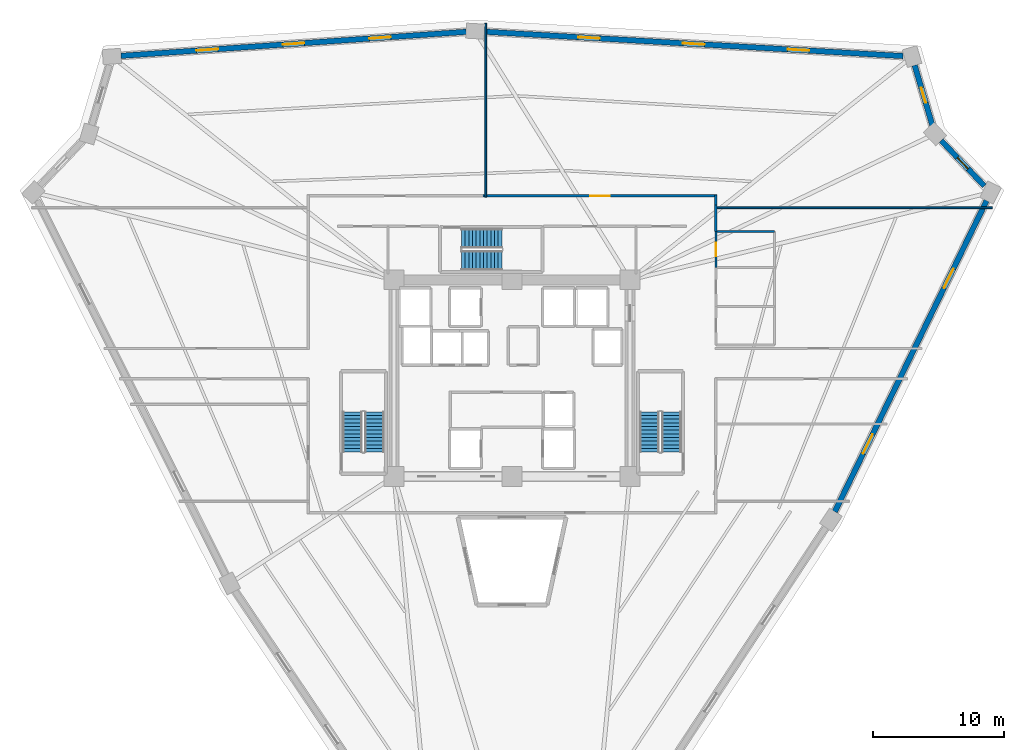
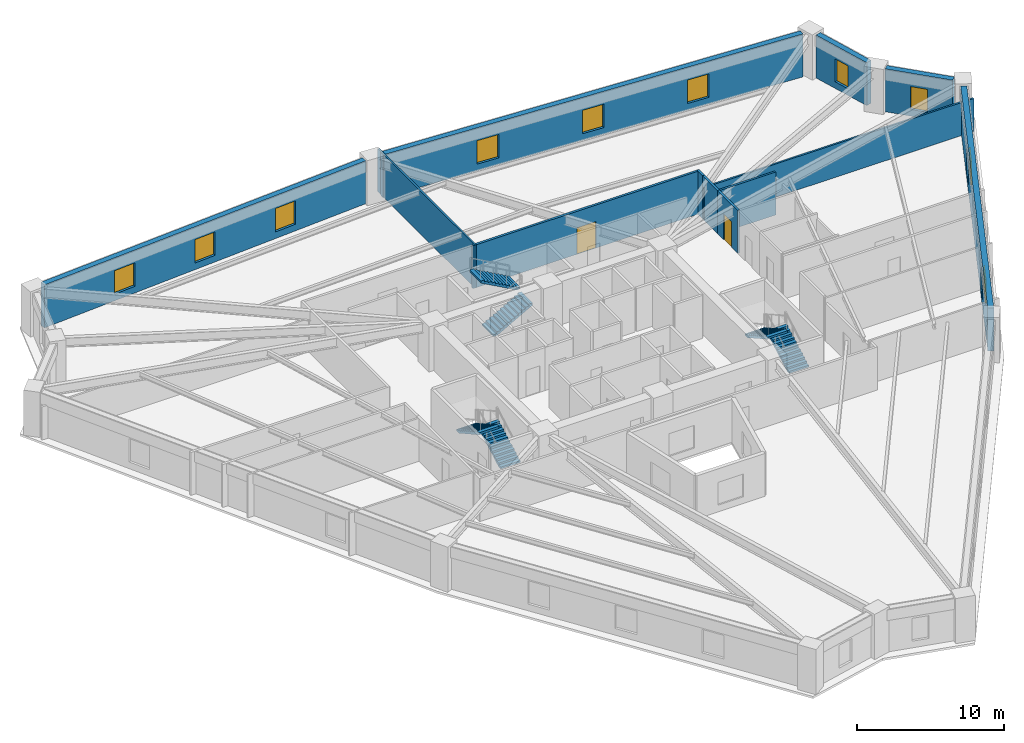
# One storey, part 6 of 7: 12 walls, 10 windows, 6 stair flights, 2 doors, 12 openings, 3 elements without a shape of their own.
"""IFC4 building model written with IfcOpenShell, lengths in metres."""

from ifc_helpers import new_model, si_unit, direction, frame, frame_2d, origin, place, context, subcontext, project, spatial, polyline, rectangle, outline, extrude, source, transform, mapped, material, layer, layer_set, type_object, element, fill, aggregate, save


model = new_model("IFC4")

# Units and contexts
model_context = context("Model", 3, precision=1e-05, world=origin(), true_north=direction((0.0, 1.0)))
body_context = subcontext(model_context, "Body", "Model", "MODEL_VIEW")
ifc_project = project(units=[si_unit("LENGTHUNIT", "METRE"), si_unit("AREAUNIT", "SQUARE_METRE"), si_unit("VOLUMEUNIT", "CUBIC_METRE"), si_unit("PLANEANGLEUNIT", "RADIAN"), si_unit("MASSUNIT", "GRAM", prefix="KILO")], contexts=[model_context])

# Site, building, storey
site_placement = place(None, origin())
site = spatial("IfcSite", under=ifc_project, at=site_placement, CompositionType="ELEMENT")
building_placement = place(site_placement, origin())
building = spatial("IfcBuilding", under=site, at=building_placement, Name="Liaohun Quay Tower", CompositionType="ELEMENT")
storey_placement = place(building_placement, frame((0.0, 0.0, 113.25)))
storey = spatial("IfcBuildingStorey", under=building, at=storey_placement, Name="L29", CompositionType="ELEMENT", Elevation=113.25)

# Wall, openings, windows
ifc_material_1 = material(Name="Precast concrete C50 insulated sandwich", Category="concrete")
ifc_layer_1 = layer(ifc_material_1, 0.419921875, Name="Precast concrete C50 insulated sandwich", Category="concrete")
ifc_layer_set_1 = layer_set([ifc_layer_1], Name="Precast concrete C50 insulated sandwich")
wall_type_1 = type_object("IfcWallType", Name="WAL-EXT-Z12", PredefinedType="SOLIDWALL", material=ifc_layer_set_1)
wall_1_placement = place(storey_placement, frame((84.632080078125, 43.80810546875, 0.0), z_axis=(0.0, 0.0, 1.0), x_axis=(0.43854819507, 0.898707672495, 0.0)))
wall_1 = element("IfcWall", 1, at=wall_1_placement, inside=storey, type_object=wall_type_1, Name="L29 Brutalist Precast Pier Wall 03", PredefinedType="SOLIDWALL", context=body_context, shape_type="SweptSolid", body=[
    extrude(rectangle(XDim=26.412109375, YDim=0.419921875, at=frame_2d((13.2060546875, 0.0))), origin(), (0.0, 0.0, 1.0), 3.570068359375),
])
shared_shape_1 = source(origin(), body_context, "Body", "SweptSolid", [
    extrude(rectangle(XDim=1.64990234375, YDim=1.949951171875, at=frame_2d((0.824951171875, 0.97509765625))), frame((0.0, 0.219970703125, 0.0), z_axis=(0.0, -1.0, 0.0), x_axis=(1.0, 0.0, 0.0)), (0.0, 0.0, 1.0), 0.43994140625),
])
opening_1_placement = place(wall_1_placement, frame((4.927978515625, 0.0, 0.550048828125)))
opening_1 = element("IfcOpeningElement", 2, at=opening_1_placement, cuts=wall_1, Name="Opening W02", PredefinedType="OPENING", context=body_context, shape_type="MappedRepresentation", body=[
    mapped(shared_shape_1, transform((0.0, 0.0, 0.0), x_axis=(1.0, 0.0, 0.0), y_axis=(0.0, 1.0, 0.0), z_axis=(0.0, 0.0, 1.0), scale=1.0)),
])
opening_2_placement = place(wall_1_placement, frame((18.98388671875, 0.0, 0.550048828125)))
opening_2 = element("IfcOpeningElement", 3, at=opening_2_placement, cuts=wall_1, Name="Opening W02", PredefinedType="OPENING", context=body_context, shape_type="MappedRepresentation", body=[
    mapped(shared_shape_1, transform((0.0, 0.0, 0.0), x_axis=(1.0, 0.0, 0.0), y_axis=(0.0, 1.0, 0.0), z_axis=(0.0, 0.0, 1.0), scale=1.0)),
])
ifc_material_2 = material(Name="Triple Low-E argon glazing in thermally broken aluminium", Category="aluminium")
window_type_1 = type_object("IfcWindowType", Name="WIN-PUN-Z2", PartitioningType="DOUBLE_PANEL_VERTICAL", PredefinedType="WINDOW", material=ifc_material_2)
shared_shape_2 = source(origin(), body_context, "Body", "SweptSolid", [
    extrude(rectangle(XDim=1.64990234375, YDim=1.949951171875, at=frame_2d((0.824951171875, 0.97509765625))), frame((0.0, 0.030029296875, 0.0), z_axis=(0.0, -1.0, 0.0), x_axis=(1.0, 0.0, 0.0)), (0.0, 0.0, 1.0), 0.06005859375),
])
window_1_placement = place(opening_1_placement, origin())
window_1 = element("IfcWindow", 4, at=window_1_placement, inside=storey, type_object=window_type_1, Name="L29 Recessed Cold-Climate Punched Window 03-1", OverallHeight=1.949951171875, OverallWidth=1.64990234375, PartitioningType="DOUBLE_PANEL_VERTICAL", PredefinedType="WINDOW", context=body_context, shape_type="MappedRepresentation", body=[
    mapped(shared_shape_2, transform((0.0, 0.0, 0.0), x_axis=(1.0, 0.0, 0.0), y_axis=(0.0, 1.0, 0.0), z_axis=(0.0, 0.0, 1.0), scale=1.0)),
])
fill(opening_1, window_1)
window_2_placement = place(opening_2_placement, origin())
window_2 = element("IfcWindow", 5, at=window_2_placement, inside=storey, type_object=window_type_1, Name="L29 Recessed Cold-Climate Punched Window 03-3", OverallHeight=1.949951171875, OverallWidth=1.64990234375, PartitioningType="DOUBLE_PANEL_VERTICAL", PredefinedType="WINDOW", context=body_context, shape_type="MappedRepresentation", body=[
    mapped(shared_shape_2, transform((0.0, 0.0, 0.0), x_axis=(1.0, 0.0, 0.0), y_axis=(0.0, 1.0, 0.0), z_axis=(0.0, 0.0, 1.0), scale=1.0)),
])
fill(opening_2, window_2)

# Wall, opening, window
wall_2_placement = place(storey_placement, frame((96.0419921875, 68.6650390625, 0.0), z_axis=(0.0, 0.0, 1.0), x_axis=(-0.689201349378, 0.724569872417, 0.0)))
wall_2 = element("IfcWall", 6, at=wall_2_placement, inside=storey, type_object=wall_type_1, Name="L29 Brutalist Precast Pier Wall 04", PredefinedType="SOLIDWALL", context=body_context, shape_type="SweptSolid", body=[
    extrude(rectangle(XDim=4.78369140625, YDim=0.419921875, at=frame_2d((2.391845703125, 0.0))), origin(), (0.0, 0.0, 1.0), 3.570068359375),
])
shared_shape_3 = source(origin(), body_context, "Body", "SweptSolid", [
    extrude(rectangle(XDim=1.199951171875, YDim=1.89990234375, at=frame_2d((0.60009765625, 0.949951171875))), frame((0.0, 0.219970703125, 0.0), z_axis=(0.0, -1.0, 0.0), x_axis=(1.0, 0.0, 0.0)), (0.0, 0.0, 1.0), 0.43994140625),
])
opening_3_placement = place(wall_2_placement, frame((1.7919921875, 0.0, 0.550048828125)))
opening_3 = element("IfcOpeningElement", 7, at=opening_3_placement, cuts=wall_2, Name="Opening W05", PredefinedType="OPENING", context=body_context, shape_type="MappedRepresentation", body=[
    mapped(shared_shape_3, transform((0.0, 0.0, 0.0), x_axis=(1.0, 0.0, 0.0), y_axis=(0.0, 1.0, 0.0), z_axis=(0.0, 0.0, 1.0), scale=1.0)),
])
ifc_material_3 = material(Name="Triple Low-E corner notch glazing", Category="glass")
window_type_2 = type_object("IfcWindowType", Name="WIN-NOTCH", PartitioningType="SINGLE_PANEL", PredefinedType="WINDOW", material=ifc_material_3)
shared_shape_4 = source(origin(), body_context, "Body", "SweptSolid", [
    extrude(rectangle(XDim=1.199951171875, YDim=1.89990234375, at=frame_2d((0.60009765625, 0.949951171875))), frame((0.0, 0.030029296875, 0.0), z_axis=(0.0, -1.0, 0.0), x_axis=(1.0, 0.0, 0.0)), (0.0, 0.0, 1.0), 0.06005859375),
])
window_3_placement = place(opening_3_placement, origin())
window_3 = element("IfcWindow", 8, at=window_3_placement, inside=storey, type_object=window_type_2, Name="L29 Corner Notch Window W05-04", OverallHeight=1.89990234375, OverallWidth=1.199951171875, PartitioningType="SINGLE_PANEL", PredefinedType="WINDOW", context=body_context, shape_type="MappedRepresentation", body=[
    mapped(shared_shape_4, transform((0.0, 0.0, 0.0), x_axis=(1.0, 0.0, 0.0), y_axis=(0.0, 1.0, 0.0), z_axis=(0.0, 0.0, 1.0), scale=1.0)),
])
fill(opening_3, window_3)

wall_3_placement = place(storey_placement, frame((92.073974609375, 73.29296875, 0.0), z_axis=(0.0, 0.0, 1.0), x_axis=(-0.282645095573, 0.959224556581, 0.0)))
wall_3 = element("IfcWall", 9, at=wall_3_placement, inside=storey, type_object=wall_type_1, Name="L29 Brutalist Precast Pier Wall 05", PredefinedType="SOLIDWALL", context=body_context, shape_type="SweptSolid", body=[
    extrude(rectangle(XDim=4.77587890625, YDim=0.419921875, at=frame_2d((2.387939453125, 0.0))), origin(), (0.0, 0.0, 1.0), 3.570068359375),
])
opening_4_placement = place(wall_3_placement, frame((1.7880859375, 0.0, 0.550048828125)))
opening_4 = element("IfcOpeningElement", 10, at=opening_4_placement, cuts=wall_3, Name="Opening W05", PredefinedType="OPENING", context=body_context, shape_type="MappedRepresentation", body=[
    mapped(shared_shape_3, transform((0.0, 0.0, 0.0), x_axis=(1.0, 0.0, 0.0), y_axis=(0.0, 1.0, 0.0), z_axis=(0.0, 0.0, 1.0), scale=1.0)),
])
window_4_placement = place(opening_4_placement, origin())
window_4 = element("IfcWindow", 11, at=window_4_placement, inside=storey, type_object=window_type_2, Name="L29 Corner Notch Window W05-05", OverallHeight=1.89990234375, OverallWidth=1.199951171875, PartitioningType="SINGLE_PANEL", PredefinedType="WINDOW", context=body_context, shape_type="MappedRepresentation", body=[
    mapped(shared_shape_4, transform((0.0, 0.0, 0.0), x_axis=(1.0, 0.0, 0.0), y_axis=(0.0, 1.0, 0.0), z_axis=(0.0, 0.0, 1.0), scale=1.0)),
])
fill(opening_4, window_4)

# Wall, openings, windows
wall_4_placement = place(storey_placement, frame((89.840087890625, 78.575927734375, 0.0), z_axis=(0.0, 0.0, 1.0), x_axis=(-0.99831154776, 0.05808660439, 0.0)))
wall_4 = element("IfcWall", 12, at=wall_4_placement, inside=storey, type_object=wall_type_1, Name="L29 Brutalist Precast Pier Wall 06", PredefinedType="SOLIDWALL", context=body_context, shape_type="SweptSolid", body=[
    extrude(rectangle(XDim=32.006103515625, YDim=0.419921875, at=frame_2d((16.0029296875, 0.0))), origin(), (0.0, 0.0, 1.0), 3.570068359375),
])
opening_5_placement = place(wall_4_placement, frame((7.177001953125, 0.0, 0.550048828125)))
opening_5 = element("IfcOpeningElement", 13, at=opening_5_placement, cuts=wall_4, Name="Opening W02", PredefinedType="OPENING", context=body_context, shape_type="MappedRepresentation", body=[
    mapped(shared_shape_1, transform((0.0, 0.0, 0.0), x_axis=(1.0, 0.0, 0.0), y_axis=(0.0, 1.0, 0.0), z_axis=(0.0, 0.0, 1.0), scale=1.0)),
])
opening_6_placement = place(wall_4_placement, frame((15.177978515625, 0.0, 0.550048828125)))
opening_6 = element("IfcOpeningElement", 14, at=opening_6_placement, cuts=wall_4, Name="Opening W02", PredefinedType="OPENING", context=body_context, shape_type="MappedRepresentation", body=[
    mapped(shared_shape_1, transform((0.0, 0.0, 0.0), x_axis=(1.0, 0.0, 0.0), y_axis=(0.0, 1.0, 0.0), z_axis=(0.0, 0.0, 1.0), scale=1.0)),
])
opening_7_placement = place(wall_4_placement, frame((23.179931640625, 0.0, 0.550048828125)))
opening_7 = element("IfcOpeningElement", 15, at=opening_7_placement, cuts=wall_4, Name="Opening W02", PredefinedType="OPENING", context=body_context, shape_type="MappedRepresentation", body=[
    mapped(shared_shape_1, transform((0.0, 0.0, 0.0), x_axis=(1.0, 0.0, 0.0), y_axis=(0.0, 1.0, 0.0), z_axis=(0.0, 0.0, 1.0), scale=1.0)),
])
window_5_placement = place(opening_5_placement, origin())
window_5 = element("IfcWindow", 16, at=window_5_placement, inside=storey, type_object=window_type_1, Name="L29 Recessed Cold-Climate Punched Window 06-1", OverallHeight=1.949951171875, OverallWidth=1.64990234375, PartitioningType="DOUBLE_PANEL_VERTICAL", PredefinedType="WINDOW", context=body_context, shape_type="MappedRepresentation", body=[
    mapped(shared_shape_2, transform((0.0, 0.0, 0.0), x_axis=(1.0, 0.0, 0.0), y_axis=(0.0, 1.0, 0.0), z_axis=(0.0, 0.0, 1.0), scale=1.0)),
])
fill(opening_5, window_5)
window_6_placement = place(opening_6_placement, origin())
window_6 = element("IfcWindow", 17, at=window_6_placement, inside=storey, type_object=window_type_1, Name="L29 Recessed Cold-Climate Punched Window 06-2", OverallHeight=1.949951171875, OverallWidth=1.64990234375, PartitioningType="DOUBLE_PANEL_VERTICAL", PredefinedType="WINDOW", context=body_context, shape_type="MappedRepresentation", body=[
    mapped(shared_shape_2, transform((0.0, 0.0, 0.0), x_axis=(1.0, 0.0, 0.0), y_axis=(0.0, 1.0, 0.0), z_axis=(0.0, 0.0, 1.0), scale=1.0)),
])
fill(opening_6, window_6)
window_7_placement = place(opening_7_placement, origin())
window_7 = element("IfcWindow", 18, at=window_7_placement, inside=storey, type_object=window_type_1, Name="L29 Recessed Cold-Climate Punched Window 06-3", OverallHeight=1.949951171875, OverallWidth=1.64990234375, PartitioningType="DOUBLE_PANEL_VERTICAL", PredefinedType="WINDOW", context=body_context, shape_type="MappedRepresentation", body=[
    mapped(shared_shape_2, transform((0.0, 0.0, 0.0), x_axis=(1.0, 0.0, 0.0), y_axis=(0.0, 1.0, 0.0), z_axis=(0.0, 0.0, 1.0), scale=1.0)),
])
fill(opening_7, window_7)

wall_5_placement = place(storey_placement, frame((56.510986328125, 80.427001953125, 0.0), z_axis=(0.0, 0.0, 1.0), x_axis=(-0.997581513864, -0.069506281704, 0.0)))
wall_5 = element("IfcWall", 19, at=wall_5_placement, inside=storey, type_object=wall_type_1, Name="L29 Brutalist Precast Pier Wall 07", PredefinedType="SOLIDWALL", context=body_context, shape_type="SweptSolid", body=[
    extrude(rectangle(XDim=26.4140625, YDim=0.419921875, at=frame_2d((13.20703125, 0.0))), origin(), (0.0, 0.0, 1.0), 3.570068359375),
])
opening_8_placement = place(wall_5_placement, frame((5.778076171875, 0.0, 0.550048828125)))
opening_8 = element("IfcOpeningElement", 20, at=opening_8_placement, cuts=wall_5, Name="Opening W02", PredefinedType="OPENING", context=body_context, shape_type="MappedRepresentation", body=[
    mapped(shared_shape_1, transform((0.0, 0.0, 0.0), x_axis=(1.0, 0.0, 0.0), y_axis=(0.0, 1.0, 0.0), z_axis=(0.0, 0.0, 1.0), scale=1.0)),
])
opening_9_placement = place(wall_5_placement, frame((12.382080078125, 0.0, 0.550048828125)))
opening_9 = element("IfcOpeningElement", 21, at=opening_9_placement, cuts=wall_5, Name="Opening W02", PredefinedType="OPENING", context=body_context, shape_type="MappedRepresentation", body=[
    mapped(shared_shape_1, transform((0.0, 0.0, 0.0), x_axis=(1.0, 0.0, 0.0), y_axis=(0.0, 1.0, 0.0), z_axis=(0.0, 0.0, 1.0), scale=1.0)),
])
opening_10_placement = place(wall_5_placement, frame((18.985107421875, 0.0, 0.550048828125)))
opening_10 = element("IfcOpeningElement", 22, at=opening_10_placement, cuts=wall_5, Name="Opening W02", PredefinedType="OPENING", context=body_context, shape_type="MappedRepresentation", body=[
    mapped(shared_shape_1, transform((0.0, 0.0, 0.0), x_axis=(1.0, 0.0, 0.0), y_axis=(0.0, 1.0, 0.0), z_axis=(0.0, 0.0, 1.0), scale=1.0)),
])
window_8_placement = place(opening_8_placement, origin())
window_8 = element("IfcWindow", 23, at=window_8_placement, inside=storey, type_object=window_type_1, Name="L29 Recessed Cold-Climate Punched Window 07-1", OverallHeight=1.949951171875, OverallWidth=1.64990234375, PartitioningType="DOUBLE_PANEL_VERTICAL", PredefinedType="WINDOW", context=body_context, shape_type="MappedRepresentation", body=[
    mapped(shared_shape_2, transform((0.0, 0.0, 0.0), x_axis=(1.0, 0.0, 0.0), y_axis=(0.0, 1.0, 0.0), z_axis=(0.0, 0.0, 1.0), scale=1.0)),
])
fill(opening_8, window_8)
window_9_placement = place(opening_9_placement, origin())
window_9 = element("IfcWindow", 24, at=window_9_placement, inside=storey, type_object=window_type_1, Name="L29 Recessed Cold-Climate Punched Window 07-2", OverallHeight=1.949951171875, OverallWidth=1.64990234375, PartitioningType="DOUBLE_PANEL_VERTICAL", PredefinedType="WINDOW", context=body_context, shape_type="MappedRepresentation", body=[
    mapped(shared_shape_2, transform((0.0, 0.0, 0.0), x_axis=(1.0, 0.0, 0.0), y_axis=(0.0, 1.0, 0.0), z_axis=(0.0, 0.0, 1.0), scale=1.0)),
])
fill(opening_9, window_9)
window_10_placement = place(opening_10_placement, origin())
window_10 = element("IfcWindow", 25, at=window_10_placement, inside=storey, type_object=window_type_1, Name="L29 Recessed Cold-Climate Punched Window 07-3", OverallHeight=1.949951171875, OverallWidth=1.64990234375, PartitioningType="DOUBLE_PANEL_VERTICAL", PredefinedType="WINDOW", context=body_context, shape_type="MappedRepresentation", body=[
    mapped(shared_shape_2, transform((0.0, 0.0, 0.0), x_axis=(1.0, 0.0, 0.0), y_axis=(0.0, 1.0, 0.0), z_axis=(0.0, 0.0, 1.0), scale=1.0)),
])
fill(opening_10, window_10)

# Wall, opening, door
ifc_material_4 = material(Name="Autoclaved aerated concrete blockwork", Category="masonry")
ifc_layer_2 = layer(ifc_material_4, 0.179931640625, Name="Autoclaved aerated concrete blockwork", Category="masonry")
ifc_layer_set_2 = layer_set([ifc_layer_2], Name="Autoclaved aerated concrete blockwork")
wall_type_2 = type_object("IfcWallType", Name="WAL-PRT-COR", PredefinedType="PARTITIONING", material=ifc_layer_set_2)
wall_6_placement = place(storey_placement, frame((57.784912109375, 67.909912109375, 0.0), z_axis=(0.0, 0.0, 1.0), x_axis=(1.0, 0.0, 0.0)))
wall_6 = element("IfcWall", 26, at=wall_6_placement, inside=storey, type_object=wall_type_2, Name="L29 Interior Partition Wall 011", PredefinedType="PARTITIONING", context=body_context, shape_type="SweptSolid", body=[
    extrude(rectangle(XDim=17.844970703125, YDim=0.179931640625, at=frame_2d((8.92236328125, 0.0))), origin(), (0.0, 0.0, 1.0), 3.570068359375),
])
shared_shape_5 = source(origin(), body_context, "Body", "SweptSolid", [
    extrude(rectangle(XDim=1.5, YDim=2.199951171875, at=frame_2d((0.75, 1.10009765625))), frame((0.0, 0.099853515625, 0.0), z_axis=(0.0, -1.0, 0.0), x_axis=(1.0, 0.0, 0.0)), (0.0, 0.0, 1.0), 0.199951171875),
])
opening_11_placement = place(wall_6_placement, frame((8.172119140625, 0.0, 0.0)))
opening_11 = element("IfcOpeningElement", 27, at=opening_11_placement, cuts=wall_6, Name="Opening OD2", PredefinedType="OPENING", context=body_context, shape_type="MappedRepresentation", body=[
    mapped(shared_shape_5, transform((0.0, 0.0, 0.0), x_axis=(1.0, 0.0, 0.0), y_axis=(0.0, 1.0, 0.0), z_axis=(0.0, 0.0, 1.0), scale=1.0)),
])
ifc_material_5 = material(Name="Acoustic oak veneer double door")
door_type_1 = type_object("IfcDoorType", Name="DOR-OFF-1500", OperationType="DOUBLE_DOOR_SINGLE_SWING", PredefinedType="DOOR", material=ifc_material_5)
shared_shape_6 = source(origin(), body_context, "Body", "SweptSolid", [
    extrude(rectangle(XDim=1.5, YDim=2.199951171875, at=frame_2d((0.75, 1.10009765625))), frame((0.0, 0.02490234375, 0.0), z_axis=(0.0, -1.0, 0.0), x_axis=(1.0, 0.0, 0.0)), (0.0, 0.0, 1.0), 0.050048828125),
])
door_1_placement = place(opening_11_placement, origin())
door_1 = element("IfcDoor", 28, at=door_1_placement, inside=storey, type_object=door_type_1, Name="L29 Staff Daycare Nursery 02 Door", OperationType="DOUBLE_DOOR_SINGLE_SWING", OverallHeight=2.199951171875, OverallWidth=1.5, PredefinedType="DOOR", context=body_context, shape_type="MappedRepresentation", body=[
    mapped(shared_shape_6, transform((0.0, 0.0, 0.0), x_axis=(1.0, 0.0, 0.0), y_axis=(0.0, 1.0, 0.0), z_axis=(0.0, 0.0, 1.0), scale=1.0)),
])
fill(opening_11, door_1)

# Walls
wall_7_placement = place(storey_placement, frame((75.56005859375, 67.215087890625, 0.0), z_axis=(0.0, 0.0, 1.0), x_axis=(0.0, -1.0, 0.0)))
element("IfcWall", 29, at=wall_7_placement, inside=storey, type_object=wall_type_2, Name="L29 Interior Partition Wall 029", PredefinedType="PARTITIONING", context=body_context, shape_type="SweptSolid", body=[
    extrude(rectangle(XDim=2.03515625, YDim=0.179931640625, at=frame_2d((1.017578125, 0.0))), origin(), (0.0, 0.0, 1.0), 3.570068359375),
])
wall_8_placement = place(storey_placement, frame((75.56005859375, 67.97998046875, 0.0), z_axis=(0.0, 0.0, 1.0), x_axis=(0.0, -1.0, 0.0)))
element("IfcWall", 30, at=wall_8_placement, inside=storey, type_object=wall_type_2, Name="L29 Interior Partition Wall 030", PredefinedType="PARTITIONING", context=body_context, shape_type="SweptSolid", body=[
    extrude(rectangle(XDim=0.764892578125, YDim=0.179931640625, at=frame_2d((0.38232421875, 0.0))), origin(), (0.0, 0.0, 1.0), 3.570068359375),
])
ifc_material_6 = material(Name="Gypsum board on twin steel studs", Category="steel")
ifc_layer_3 = layer(ifc_material_6, 0.139892578125, Name="Gypsum board on twin steel studs", Category="steel")
ifc_layer_set_3 = layer_set([ifc_layer_3], Name="Gypsum board on twin steel studs")
wall_type_3 = type_object("IfcWallType", Name="WAL-PRT-OFF", PredefinedType="PARTITIONING", material=ifc_layer_set_3)
wall_9_placement = place(storey_placement, frame((75.4599609375, 67.0, 0.0), z_axis=(0.0, 0.0, 1.0), x_axis=(1.0, 0.0, 0.0)))
element("IfcWall", 31, at=wall_9_placement, inside=storey, type_object=wall_type_3, Name="L29 Interior Partition Wall 042", PredefinedType="PARTITIONING", context=body_context, shape_type="SweptSolid", body=[
    extrude(rectangle(XDim=21.19091796875, YDim=0.139892578125, at=frame_2d((10.595458984375, 0.0))), origin(), (0.0, 0.0, 1.0), 2.7548828125),
])
wall_10_placement = place(storey_placement, frame((58.0, 67.81005859375, 0.0), z_axis=(0.0, 0.0, 1.0), x_axis=(0.0, 1.0, 0.0)))
element("IfcWall", 32, at=wall_10_placement, inside=storey, type_object=wall_type_3, Name="L29 Interior Partition Wall 043", PredefinedType="PARTITIONING", context=body_context, shape_type="SweptSolid", body=[
    extrude(rectangle(XDim=13.25, YDim=0.139892578125, at=frame_2d((6.625, 0.0))), origin(), (0.0, 0.0, 1.0), 3.570068359375),
])

# Wall, opening, door
ifc_material_7 = material(Name="Moisture-resistant masonry blockwork", Category="masonry")
ifc_layer_4 = layer(ifc_material_7, 0.159912109375, Name="Moisture-resistant masonry blockwork", Category="masonry")
ifc_layer_set_4 = layer_set([ifc_layer_4], Name="Moisture-resistant masonry blockwork")
wall_type_4 = type_object("IfcWallType", Name="WAL-PRT-WET", PredefinedType="PARTITIONING", material=ifc_layer_set_4)
wall_11_placement = place(storey_placement, frame((75.56005859375, 62.43994140625, 0.0), z_axis=(0.0, 0.0, 1.0), x_axis=(0.0, 1.0, 0.0)))
wall_11 = element("IfcWall", 33, at=wall_11_placement, inside=storey, type_object=wall_type_4, Name="L29 Interior Partition Wall 005", PredefinedType="PARTITIONING", context=body_context, shape_type="SweptSolid", body=[
    extrude(rectangle(XDim=2.739990234375, YDim=0.159912109375, at=frame_2d((1.3701171875, 0.0))), origin(), (0.0, 0.0, 1.0), 3.570068359375),
])
shared_shape_7 = source(origin(), body_context, "Body", "SweptSolid", [
    extrude(rectangle(XDim=1.050048828125, YDim=2.14990234375, at=frame_2d((0.52490234375, 1.074951171875))), frame((0.0, 0.08984375, 0.0), z_axis=(0.0, -1.0, 0.0), x_axis=(1.0, 0.0, 0.0)), (0.0, 0.0, 1.0), 0.179931640625),
])
opening_12_placement = place(wall_11_placement, frame((0.844970703125, 0.0, 0.0)))
opening_12 = element("IfcOpeningElement", 34, at=opening_12_placement, cuts=wall_11, Name="Opening WD2", PredefinedType="OPENING", context=body_context, shape_type="MappedRepresentation", body=[
    mapped(shared_shape_7, transform((0.0, 0.0, 0.0), x_axis=(1.0, 0.0, 0.0), y_axis=(0.0, 1.0, 0.0), z_axis=(0.0, 0.0, 1.0), scale=1.0)),
])
ifc_material_8 = material(Name="Accessible outward-swinging laminate door")
door_type_2 = type_object("IfcDoorType", Name="DOR-AWC-1050", OperationType="NOTDEFINED", PredefinedType="DOOR", material=ifc_material_8)
shared_shape_8 = source(origin(), body_context, "Body", "SweptSolid", [
    extrude(rectangle(XDim=1.050048828125, YDim=2.14990234375, at=frame_2d((0.52490234375, 1.074951171875))), frame((0.0, 0.02490234375, 0.0), z_axis=(0.0, -1.0, 0.0), x_axis=(1.0, 0.0, 0.0)), (0.0, 0.0, 1.0), 0.050048828125),
])
door_2_placement = place(opening_12_placement, origin())
door_2 = element("IfcDoor", 35, at=door_2_placement, inside=storey, type_object=door_type_2, Name="L29 Accessible WC Door", OperationType="SINGLE_SWING_RIGHT", OverallHeight=2.14990234375, OverallWidth=1.050048828125, PredefinedType="DOOR", context=body_context, shape_type="MappedRepresentation", body=[
    mapped(shared_shape_8, transform((0.0, 0.0, 0.0), x_axis=(1.0, 0.0, 0.0), y_axis=(0.0, 1.0, 0.0), z_axis=(0.0, 0.0, 1.0), scale=1.0)),
])
fill(opening_12, door_2)

# Wall
wall_12_placement = place(storey_placement, frame((75.56005859375, 65.179931640625, 0.0), z_axis=(0.0, 0.0, 1.0), x_axis=(1.0, 0.0, 0.0)))
element("IfcWall", 36, at=wall_12_placement, inside=storey, type_object=wall_type_4, Name="L29 Interior Partition Wall 026", PredefinedType="PARTITIONING", context=body_context, shape_type="SweptSolid", body=[
    extrude(rectangle(XDim=4.4599609375, YDim=0.159912109375, at=frame_2d((2.22998046875, 0.0))), origin(), (0.0, 0.0, 1.0), 3.570068359375),
])

# Stair, stair flights
ifc_material_9 = material(Name="Concrete C45", Category="concrete")
stair_type = type_object("IfcStairType", Name="STR-CORE-OFF", PredefinedType="HALF_TURN_STAIR", material=ifc_material_9)
stair_1_placement = place(storey_placement, origin())
stair_1 = element("IfcStair", 37, at=stair_1_placement, inside=storey, type_object=stair_type, Name="L29 Smokeproof Core Exit Stair ST-1", PredefinedType="HALF_TURN_STAIR")
stair_flight_type = type_object("IfcStairFlightType", Name="FLT-CORE-155", PredefinedType="STRAIGHT", material=ifc_material_9)
stair_flight_1_placement = place(storey_placement, frame((49.5048828125, 48.35009765625, 0.0), z_axis=(0.0, 0.0, 1.0), x_axis=(0.0, 1.0, 0.0)))
stair_flight_1 = element("IfcStairFlight", 38, at=stair_flight_1_placement, type_object=stair_flight_type, Name="ST-1 flight 1", NumberOfRisers=12, NumberOfTreads=11, PredefinedType="STRAIGHT", RiserHeight=0.15625, TreadLength=0.28, context=body_context, shape_type="SweptSolid", body=[
    extrude(outline(polyline([(0.0, 0.0), (0.0, 0.15625), (0.280029296875, 0.15625), (0.280029296875, 0.3125), (0.56005859375, 0.3125), (0.56005859375, 0.46875), (0.840087890625, 0.46875), (0.840087890625, 0.625), (1.1201171875, 0.625), (1.1201171875, 0.78125), (1.39990234375, 0.78125), (1.39990234375, 0.9375), (1.679931640625, 0.9375), (1.679931640625, 1.09375), (1.9599609375, 1.09375), (1.9599609375, 1.25), (2.239990234375, 1.25), (2.239990234375, 1.40625), (2.52001953125, 1.40625), (2.52001953125, 1.5625), (2.800048828125, 1.5625), (2.800048828125, 1.71875), (3.080078125, 1.71875), (3.080078125, 1.875), (3.080078125, 1.547119140625), (0.3076171875, 0.0), (0.0, 0.0)])), frame((0.0, 0.77490234375, 0.0), z_axis=(0.0, -1.0, 0.0), x_axis=(1.0, 0.0, 0.0)), (0.0, 0.0, 1.0), 1.550048828125),
])
stair_flight_2_placement = place(storey_placement, frame((47.81494140625, 51.429931640625, 1.875), z_axis=(0.0, 0.0, 1.0), x_axis=(0.0, -1.0, 0.0)))
stair_flight_2 = element("IfcStairFlight", 39, at=stair_flight_2_placement, type_object=stair_flight_type, Name="ST-1 flight 2", NumberOfRisers=12, NumberOfTreads=11, PredefinedType="STRAIGHT", RiserHeight=0.15625, TreadLength=0.28, context=body_context, shape_type="SweptSolid", body=[
    extrude(outline(polyline([(0.0, 0.0), (0.0, 0.15625), (0.280029296875, 0.15625), (0.280029296875, 0.3125), (0.56005859375, 0.3125), (0.56005859375, 0.46875), (0.840087890625, 0.46875), (0.840087890625, 0.625), (1.1201171875, 0.625), (1.1201171875, 0.78125), (1.39990234375, 0.78125), (1.39990234375, 0.9375), (1.679931640625, 0.9375), (1.679931640625, 1.09375), (1.9599609375, 1.09375), (1.9599609375, 1.25), (2.239990234375, 1.25), (2.239990234375, 1.40625), (2.52001953125, 1.40625), (2.52001953125, 1.5625), (2.800048828125, 1.5625), (2.800048828125, 1.71875), (3.080078125, 1.71875), (3.080078125, 1.875), (3.080078125, 1.547119140625), (0.3076171875, 0.0), (0.0, 0.0)])), frame((0.0, 0.77490234375, 0.0), z_axis=(0.0, -1.0, 0.0), x_axis=(1.0, 0.0, 0.0)), (0.0, 0.0, 1.0), 1.550048828125),
])
aggregate(stair_1, [stair_flight_1, stair_flight_2])

stair_2_placement = place(storey_placement, origin())
stair_2 = element("IfcStair", 40, at=stair_2_placement, inside=storey, type_object=stair_type, Name="L29 Smokeproof Core Exit Stair ST-2", PredefinedType="HALF_TURN_STAIR")
stair_flight_3_placement = place(storey_placement, frame((72.18505859375, 48.35009765625, 0.0), z_axis=(0.0, 0.0, 1.0), x_axis=(0.0, 1.0, 0.0)))
stair_flight_3 = element("IfcStairFlight", 41, at=stair_flight_3_placement, type_object=stair_flight_type, Name="ST-2 flight 1", NumberOfRisers=12, NumberOfTreads=11, PredefinedType="STRAIGHT", RiserHeight=0.15625, TreadLength=0.28, context=body_context, shape_type="SweptSolid", body=[
    extrude(outline(polyline([(0.0, 0.0), (0.0, 0.15625), (0.280029296875, 0.15625), (0.280029296875, 0.3125), (0.56005859375, 0.3125), (0.56005859375, 0.46875), (0.840087890625, 0.46875), (0.840087890625, 0.625), (1.1201171875, 0.625), (1.1201171875, 0.78125), (1.39990234375, 0.78125), (1.39990234375, 0.9375), (1.679931640625, 0.9375), (1.679931640625, 1.09375), (1.9599609375, 1.09375), (1.9599609375, 1.25), (2.239990234375, 1.25), (2.239990234375, 1.40625), (2.52001953125, 1.40625), (2.52001953125, 1.5625), (2.800048828125, 1.5625), (2.800048828125, 1.71875), (3.080078125, 1.71875), (3.080078125, 1.875), (3.080078125, 1.547119140625), (0.3076171875, 0.0), (0.0, 0.0)])), frame((0.0, 0.77490234375, 0.0), z_axis=(0.0, -1.0, 0.0), x_axis=(1.0, 0.0, 0.0)), (0.0, 0.0, 1.0), 1.550048828125),
])
stair_flight_4_placement = place(storey_placement, frame((70.4951171875, 51.429931640625, 1.875), z_axis=(0.0, 0.0, 1.0), x_axis=(0.0, -1.0, 0.0)))
stair_flight_4 = element("IfcStairFlight", 42, at=stair_flight_4_placement, type_object=stair_flight_type, Name="ST-2 flight 2", NumberOfRisers=12, NumberOfTreads=11, PredefinedType="STRAIGHT", RiserHeight=0.15625, TreadLength=0.28, context=body_context, shape_type="SweptSolid", body=[
    extrude(outline(polyline([(0.0, 0.0), (0.0, 0.15625), (0.280029296875, 0.15625), (0.280029296875, 0.3125), (0.56005859375, 0.3125), (0.56005859375, 0.46875), (0.840087890625, 0.46875), (0.840087890625, 0.625), (1.1201171875, 0.625), (1.1201171875, 0.78125), (1.39990234375, 0.78125), (1.39990234375, 0.9375), (1.679931640625, 0.9375), (1.679931640625, 1.09375), (1.9599609375, 1.09375), (1.9599609375, 1.25), (2.239990234375, 1.25), (2.239990234375, 1.40625), (2.52001953125, 1.40625), (2.52001953125, 1.5625), (2.800048828125, 1.5625), (2.800048828125, 1.71875), (3.080078125, 1.71875), (3.080078125, 1.875), (3.080078125, 1.547119140625), (0.3076171875, 0.0), (0.0, 0.0)])), frame((0.0, 0.77490234375, 0.0), z_axis=(0.0, -1.0, 0.0), x_axis=(1.0, 0.0, 0.0)), (0.0, 0.0, 1.0), 1.550048828125),
])
aggregate(stair_2, [stair_flight_3, stair_flight_4])

stair_3_placement = place(storey_placement, origin())
stair_3 = element("IfcStair", 43, at=stair_3_placement, inside=storey, type_object=stair_type, Name="L29 Smokeproof Core Exit Stair ST-3", PredefinedType="HALF_TURN_STAIR")
stair_flight_5_placement = place(storey_placement, frame((56.14990234375, 62.97509765625, 0.0), z_axis=(0.0, 0.0, 1.0), x_axis=(1.0, 0.0, 0.0)))
stair_flight_5 = element("IfcStairFlight", 44, at=stair_flight_5_placement, type_object=stair_flight_type, Name="ST-3 flight 1", NumberOfRisers=12, NumberOfTreads=11, PredefinedType="STRAIGHT", RiserHeight=0.15625, TreadLength=0.28, context=body_context, shape_type="SweptSolid", body=[
    extrude(outline(polyline([(0.0, 0.0), (0.0, 0.15625), (0.280029296875, 0.15625), (0.280029296875, 0.3125), (0.56005859375, 0.3125), (0.56005859375, 0.46875), (0.840087890625, 0.46875), (0.840087890625, 0.625), (1.1201171875, 0.625), (1.1201171875, 0.78125), (1.39990234375, 0.78125), (1.39990234375, 0.9375), (1.679931640625, 0.9375), (1.679931640625, 1.09375), (1.9599609375, 1.09375), (1.9599609375, 1.25), (2.239990234375, 1.25), (2.239990234375, 1.40625), (2.52001953125, 1.40625), (2.52001953125, 1.5625), (2.800048828125, 1.5625), (2.800048828125, 1.71875), (3.080078125, 1.71875), (3.080078125, 1.875), (3.080078125, 1.547119140625), (0.3076171875, 0.0), (0.0, 0.0)])), frame((0.0, 0.77490234375, 0.0), z_axis=(0.0, -1.0, 0.0), x_axis=(1.0, 0.0, 0.0)), (0.0, 0.0, 1.0), 1.550048828125),
])
stair_flight_6_placement = place(storey_placement, frame((59.22998046875, 64.6650390625, 1.875), z_axis=(0.0, 0.0, 1.0), x_axis=(-1.0, 0.0, 0.0)))
stair_flight_6 = element("IfcStairFlight", 45, at=stair_flight_6_placement, type_object=stair_flight_type, Name="ST-3 flight 2", NumberOfRisers=12, NumberOfTreads=11, PredefinedType="STRAIGHT", RiserHeight=0.15625, TreadLength=0.28, context=body_context, shape_type="SweptSolid", body=[
    extrude(outline(polyline([(0.0, 0.0), (0.0, 0.15625), (0.280029296875, 0.15625), (0.280029296875, 0.3125), (0.56005859375, 0.3125), (0.56005859375, 0.46875), (0.840087890625, 0.46875), (0.840087890625, 0.625), (1.1201171875, 0.625), (1.1201171875, 0.78125), (1.39990234375, 0.78125), (1.39990234375, 0.9375), (1.679931640625, 0.9375), (1.679931640625, 1.09375), (1.9599609375, 1.09375), (1.9599609375, 1.25), (2.239990234375, 1.25), (2.239990234375, 1.40625), (2.52001953125, 1.40625), (2.52001953125, 1.5625), (2.800048828125, 1.5625), (2.800048828125, 1.71875), (3.080078125, 1.71875), (3.080078125, 1.875), (3.080078125, 1.547119140625), (0.3076171875, 0.0), (0.0, 0.0)])), frame((0.0, 0.77490234375, 0.0), z_axis=(0.0, -1.0, 0.0), x_axis=(1.0, 0.0, 0.0)), (0.0, 0.0, 1.0), 1.550048828125),
])
aggregate(stair_3, [stair_flight_5, stair_flight_6])

save(model, "model.ifc")
